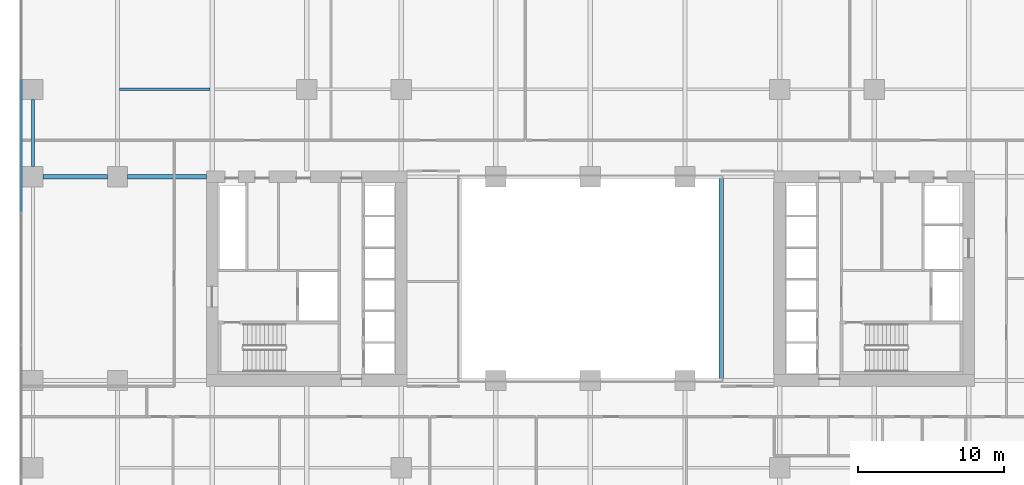
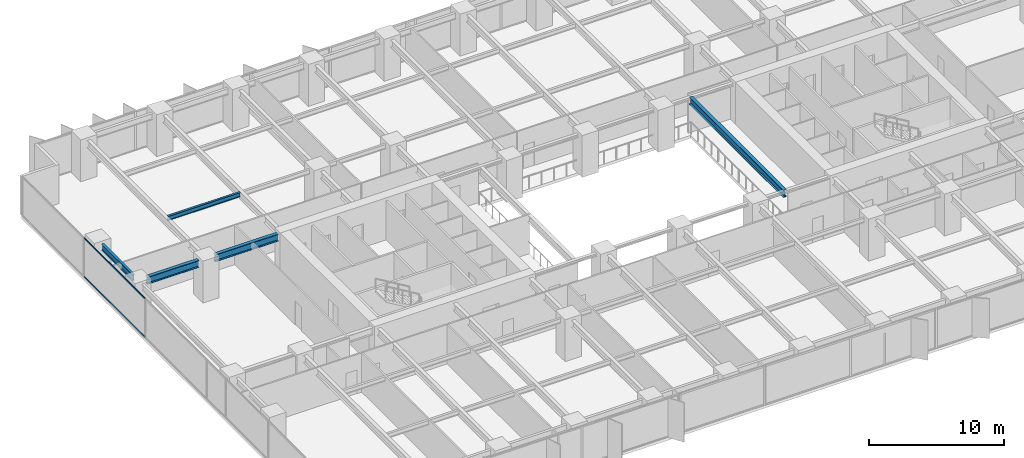
# One storey, part 6 of 20: 5 beams, 2 members, 1 element without a shape of its own.
"""IFC4 building model written with IfcOpenShell, lengths in metres."""

from ifc_helpers import new_model, si_unit, direction, frame, origin, origin_2d, place, context, subcontext, project, spatial, rectangle, i_section, extrude, material, layer, layer_set, material_profile, profile_set, type_object, element, aggregate, save


model = new_model("IFC4")

# Units and contexts
model_context = context("Model", 3, precision=1e-05, world=origin(), true_north=direction((0.0, 1.0)))
body_context = subcontext(model_context, "Body", "Model", "MODEL_VIEW")
ifc_project = project(units=[si_unit("LENGTHUNIT", "METRE"), si_unit("AREAUNIT", "SQUARE_METRE"), si_unit("VOLUMEUNIT", "CUBIC_METRE"), si_unit("PLANEANGLEUNIT", "RADIAN"), si_unit("MASSUNIT", "GRAM", prefix="KILO")], contexts=[model_context])

# Site, building, storey
site_placement = place(None, origin())
site = spatial("IfcSite", under=ifc_project, at=site_placement, CompositionType="ELEMENT")
building_placement = place(site_placement, origin())
building = spatial("IfcBuilding", under=site, at=building_placement, Name="Putna Gate Headquarters", CompositionType="ELEMENT")
storey_placement = place(building_placement, frame((0.0, 0.0, 69.60009765625)))
storey = spatial("IfcBuildingStorey", under=building, at=storey_placement, Name="L16", CompositionType="ELEMENT", Elevation=69.60009765625)

# Beams
ifc_material_1 = material(Name="Steel S355J2", Category="steel")
ifc_material_profile_1 = material_profile(ifc_material_1, i_section(OverallWidth=0.300048828125, OverallDepth=0.64990234375, WebThickness=0.01611328125, FlangeThickness=0.031005859375, at=origin_2d()), Name="Steel S355J2")
ifc_profile_set_1 = profile_set([ifc_material_profile_1], Name="Steel S355J2")
beam_type_1 = type_object("IfcBeamType", Name="BM-GIRD-Z1-HEB650", PredefinedType="USERDEFINED", material=ifc_profile_set_1)
beam_1_placement = place(storey_placement, frame((1.367919921875, 33.0, 3.224853515625), z_axis=(1.0, 0.0, 0.0), x_axis=(0.0, 1.0, 0.0)))
element("IfcBeam", 1, at=beam_1_placement, inside=storey, type_object=beam_type_1, Name="L16 West Wing Girder Y33-1", ObjectType="GIRDER", PredefinedType="USERDEFINED", context=body_context, shape_type="SweptSolid", body=[
    extrude(i_section(OverallWidth=0.300048828125, OverallDepth=0.64990234375, WebThickness=0.01611328125, FlangeThickness=0.031005859375, at=origin_2d()), origin(), (0.0, 0.0, 1.0), 4.444091796875),
])
beam_2_placement = place(storey_placement, frame((7.18798828125, 33.0, 3.224853515625), z_axis=(1.0, 0.0, 0.0), x_axis=(0.0, 1.0, 0.0)))
element("IfcBeam", 2, at=beam_2_placement, inside=storey, type_object=beam_type_1, Name="L16 West Wing Girder Y33-2", ObjectType="GIRDER", PredefinedType="USERDEFINED", context=body_context, shape_type="SweptSolid", body=[
    extrude(i_section(OverallWidth=0.300048828125, OverallDepth=0.64990234375, WebThickness=0.01611328125, FlangeThickness=0.031005859375, at=origin_2d()), origin(), (0.0, 0.0, 1.0), 5.427001953125),
])
beam_3_placement = place(storey_placement, frame((48.0, 19.010009765625, 3.224853515625), z_axis=(0.0, 1.0, 0.0), x_axis=(-1.0, 0.0, 0.0)))
element("IfcBeam", 3, at=beam_3_placement, inside=storey, type_object=beam_type_1, Name="L16 Atrium Trim Girder AE", ObjectType="GIRDER", PredefinedType="USERDEFINED", context=body_context, shape_type="SweptSolid", body=[
    extrude(i_section(OverallWidth=0.300048828125, OverallDepth=0.64990234375, WebThickness=0.01611328125, FlangeThickness=0.031005859375, at=origin_2d()), origin(), (0.0, 0.0, 1.0), 13.97998046875),
])
ifc_material_profile_2 = material_profile(ifc_material_1, i_section(OverallWidth=0.179931640625, OverallDepth=0.39990234375, WebThickness=0.008544921875, FlangeThickness=0.013427734375, at=origin_2d()), Name="Steel S355J2")
ifc_profile_set_2 = profile_set([ifc_material_profile_2], Name="Steel S355J2")
beam_type_2 = type_object("IfcBeamType", Name="BM-SEC-Z1-IPE400", PredefinedType="BEAM", material=ifc_profile_set_2)
beam_4_placement = place(storey_placement, frame((6.654052734375, 39.0, 3.349853515625), z_axis=(1.0, 0.0, 0.0), x_axis=(0.0, 1.0, 0.0)))
element("IfcBeam", 4, at=beam_4_placement, inside=storey, type_object=beam_type_2, Name="L16 North Secondary Beam 1", PredefinedType="BEAM", context=body_context, shape_type="SweptSolid", body=[
    extrude(i_section(OverallWidth=0.179931640625, OverallDepth=0.39990234375, WebThickness=0.008544921875, FlangeThickness=0.013427734375, at=origin_2d()), origin(), (0.0, 0.0, 1.0), 6.19189453125),
])
ifc_material_profile_3 = material_profile(ifc_material_1, i_section(OverallWidth=0.2099609375, OverallDepth=0.550048828125, WebThickness=0.010986328125, FlangeThickness=0.01708984375, at=origin_2d()), Name="Steel S355J2")
ifc_profile_set_3 = profile_set([ifc_material_profile_3], Name="Steel S355J2")
beam_type_3 = type_object("IfcBeamType", Name="BM-SPAN-Z1-IPE550", PredefinedType="SPANDREL", material=ifc_profile_set_3)
beam_5_placement = place(storey_placement, frame((0.679931640625, 33.68798828125, 3.27490234375), z_axis=(0.0, 1.0, 0.0), x_axis=(-1.0, 0.0, 0.0)))
element("IfcBeam", 5, at=beam_5_placement, inside=storey, type_object=beam_type_3, Name="L16 W End Spandrel 3", PredefinedType="SPANDREL", context=body_context, shape_type="SweptSolid", body=[
    extrude(i_section(OverallWidth=0.2099609375, OverallDepth=0.550048828125, WebThickness=0.010986328125, FlangeThickness=0.01708984375, at=origin_2d()), origin(), (0.0, 0.0, 1.0), 4.6240234375),
])

# Curtain wall, members
ifc_material_2 = material(Name="Anodised bronze aluminium curtain wall", Category="aluminium")
ifc_layer = layer(ifc_material_2, 0.179931640625)
ifc_layer_set = layer_set([ifc_layer], Name="Anodised bronze aluminium curtain wall")
curtain_wall_type = type_object("IfcCurtainWallType", Name="CW-SYS-Z1", PredefinedType="USERDEFINED", material=ifc_layer_set)
curtain_wall_placement = place(storey_placement, origin())
curtain_wall = element("IfcCurtainWall", 6, at=curtain_wall_placement, inside=storey, type_object=curtain_wall_type, Name="L16 West Curtain Wall", ObjectType="STICK CURTAIN WALL", PredefinedType="USERDEFINED")
ifc_material_3 = material(Name="Anodised bronze aluminium EN AW-6060", Category="aluminium")
ifc_material_profile_4 = material_profile(ifc_material_3, rectangle(XDim=0.06494140625, YDim=0.1201171875, at=origin_2d()), Name="Anodised bronze aluminium EN AW-6060")
ifc_profile_set_4 = profile_set([ifc_material_profile_4], Name="Anodised bronze aluminium EN AW-6060")
member_type = type_object("IfcMemberType", Name="TRAN-CWT-1", PredefinedType="USERDEFINED", material=ifc_profile_set_4)
member_1_placement = place(storey_placement, frame((-0.1201171875, 30.594970703125, 0.032470703125), z_axis=(0.0, 1.0, 0.0), x_axis=(-1.0, 0.0, 0.0)))
member_1 = element("IfcMember", 7, at=member_1_placement, type_object=member_type, Name="CWS-1 transom 4.1", ObjectType="TRANSOM", PredefinedType="USERDEFINED", context=body_context, shape_type="SweptSolid", body=[
    extrude(rectangle(XDim=0.06494140625, YDim=0.1201171875, at=origin_2d()), origin(), (0.0, 0.0, 1.0), 9.050048828125),
])
member_2_placement = place(storey_placement, frame((-0.1201171875, 30.594970703125, 3.517333984375), z_axis=(0.0, 1.0, 0.0), x_axis=(-1.0, 0.0, 0.0)))
member_2 = element("IfcMember", 8, at=member_2_placement, type_object=member_type, Name="CWS-1 transom 4.2", ObjectType="TRANSOM", PredefinedType="USERDEFINED", context=body_context, shape_type="SweptSolid", body=[
    extrude(rectangle(XDim=0.06494140625, YDim=0.1201171875, at=origin_2d()), origin(), (0.0, 0.0, 1.0), 9.050048828125),
])
aggregate(curtain_wall, [member_1, member_2])

save(model, "model.ifc")
